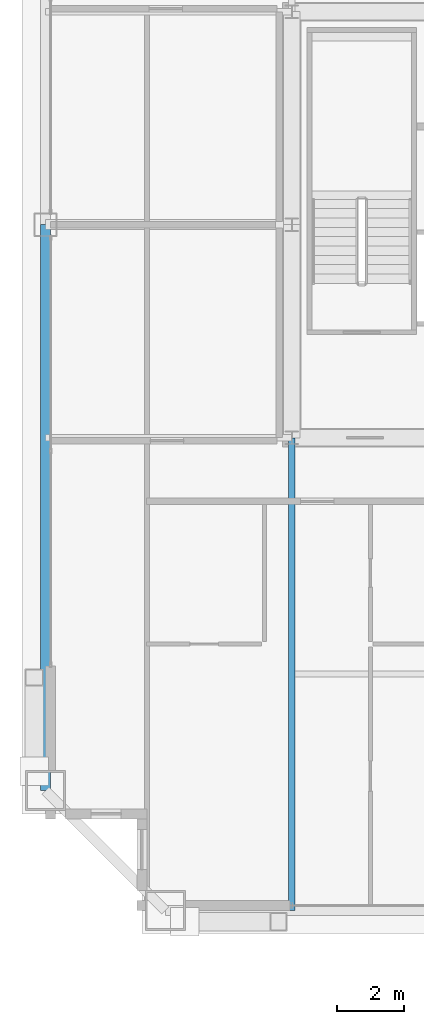
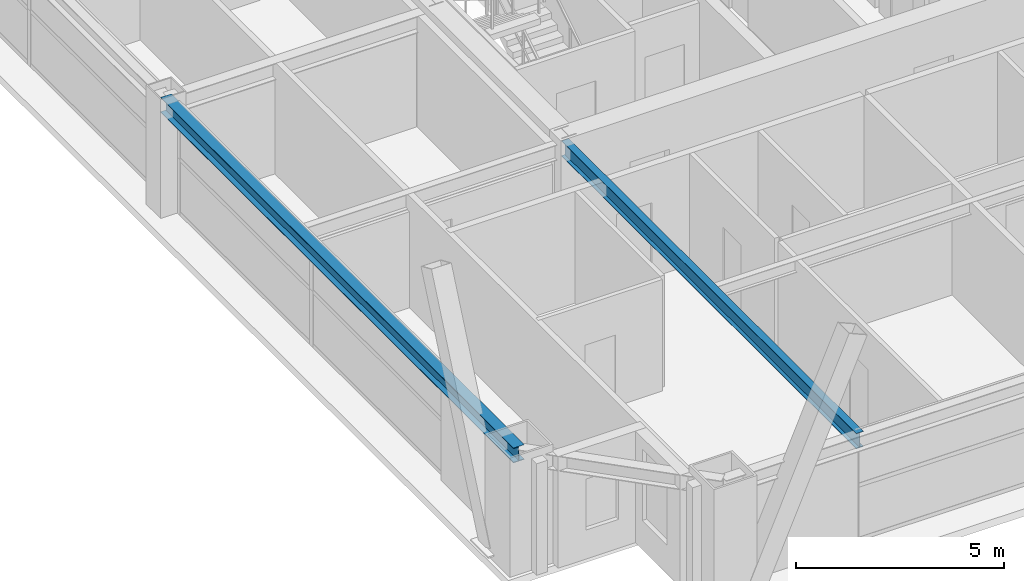
# One storey, part 6 of 35: 2 beams.
"""IFC4 building model written with IfcOpenShell, lengths in metres."""

from ifc_helpers import new_model, si_unit, direction, frame, origin, origin_2d, place, context, subcontext, project, spatial, i_section, extrude, source, transform, mapped, material, material_profile, profile_set, type_object, element, save


model = new_model("IFC4")

# Units and contexts
model_context = context("Model", 3, precision=1e-05, world=origin(), true_north=direction((0.0, 1.0)))
body_context = subcontext(model_context, "Body", "Model", "MODEL_VIEW")
ifc_project = project(units=[si_unit("LENGTHUNIT", "METRE"), si_unit("AREAUNIT", "SQUARE_METRE"), si_unit("VOLUMEUNIT", "CUBIC_METRE"), si_unit("PLANEANGLEUNIT", "RADIAN"), si_unit("MASSUNIT", "GRAM", prefix="KILO"), si_unit("THERMODYNAMICTEMPERATUREUNIT", "KELVIN"), si_unit("POWERUNIT", "WATT")], contexts=[model_context])

# Site, building, storey
site_placement = place(None, origin())
site = spatial("IfcSite", under=ifc_project, at=site_placement, CompositionType="ELEMENT")
building_placement = place(site_placement, origin())
building = spatial("IfcBuilding", under=site, at=building_placement, Name="Yuzanri Waterfront Tower", CompositionType="ELEMENT")
storey_placement = place(building_placement, frame((0.0, 0.0, 248.60009765625)))
storey = spatial("IfcBuildingStorey", under=building, at=storey_placement, Name="L66", CompositionType="ELEMENT", Elevation=248.60009765625)

# Beams
ifc_material_1 = material(Name="Steel Q355B", Category="steel")
ifc_material_profile_1 = material_profile(ifc_material_1, i_section(OverallWidth=0.300048828125, OverallDepth=0.43994140625, WebThickness=0.010986328125, FlangeThickness=0.01806640625, at=origin_2d()), Name="HM 440x300x11x18")
ifc_profile_set_1 = profile_set([ifc_material_profile_1], Name="Steel Q355B")
beam_type_1 = type_object("IfcBeamType", Name="Perimeter Spandrel Q355B HM 440x300", PredefinedType="SPANDREL", material=ifc_profile_set_1)
shared_shape_1 = source(origin(), body_context, "Body", "SweptSolid", [
    extrude(i_section(OverallWidth=0.300048828125, OverallDepth=0.43994140625, WebThickness=0.010986328125, FlangeThickness=0.01806640625, at=origin_2d()), origin(), (0.0, 0.0, 1.0), 17.0),
])
beam_1_placement = place(storey_placement, frame((16.39990234375, 25.800048828125, 3.059814453125), z_axis=(0.0, -1.0, 0.0), x_axis=(1.0, 0.0, 0.0)))
element("IfcBeam", 1, at=beam_1_placement, inside=storey, type_object=beam_type_1, Name="L66 Perimeter Spandrel W2-W1", PredefinedType="SPANDREL", context=body_context, shape_type="MappedRepresentation", body=[
    mapped(shared_shape_1, transform((0.0, 0.0, 0.0), scale=1.0)),
])
ifc_material_2 = material(Name="Steel Q355B", Category="steel")
ifc_material_profile_2 = material_profile(ifc_material_2, i_section(OverallWidth=0.199951171875, OverallDepth=0.449951171875, WebThickness=0.009033203125, FlangeThickness=0.013916015625, at=origin_2d()), Name="HN 450x200x9x14")
ifc_profile_set_2 = profile_set([ifc_material_profile_2], Name="Steel Q355B")
beam_type_2 = type_object("IfcBeamType", Name="Secondary Floor Beam Q355B HN 450x200", PredefinedType="BEAM", material=ifc_profile_set_2)
shared_shape_2 = source(origin(), body_context, "Body", "SweptSolid", [
    extrude(i_section(OverallWidth=0.199951171875, OverallDepth=0.449951171875, WebThickness=0.009033203125, FlangeThickness=0.013916015625, at=origin_2d()), origin(), (0.0, 0.0, 1.0), 14.199951171875),
])
beam_2_placement = place(storey_placement, frame((23.800048828125, 19.39990234375, 3.054931640625), z_axis=(0.0, -1.0, 0.0), x_axis=(1.0, 0.0, 0.0)))
element("IfcBeam", 2, at=beam_2_placement, inside=storey, type_object=beam_type_2, Name="L66 South-West Core Line Beam", PredefinedType="BEAM", context=body_context, shape_type="MappedRepresentation", body=[
    mapped(shared_shape_2, transform((0.0, 0.0, 0.0), scale=1.0)),
])

save(model, "model.ifc")
